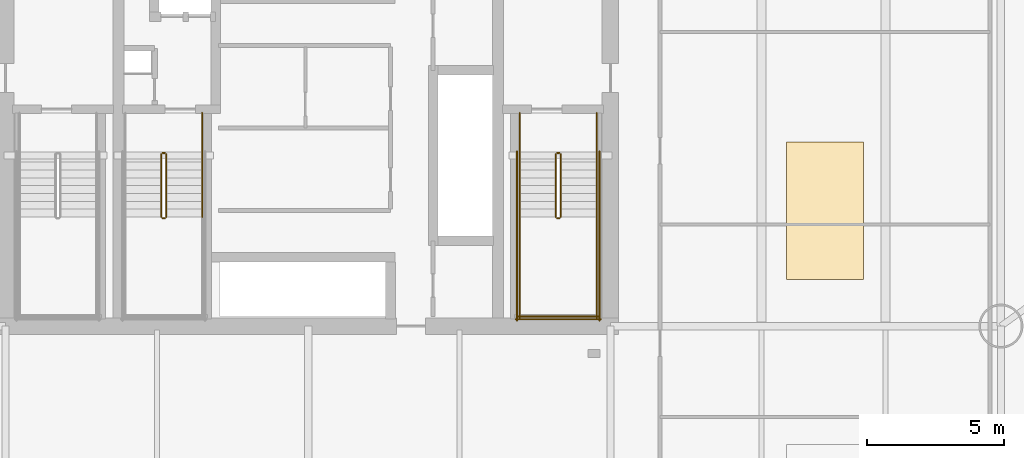
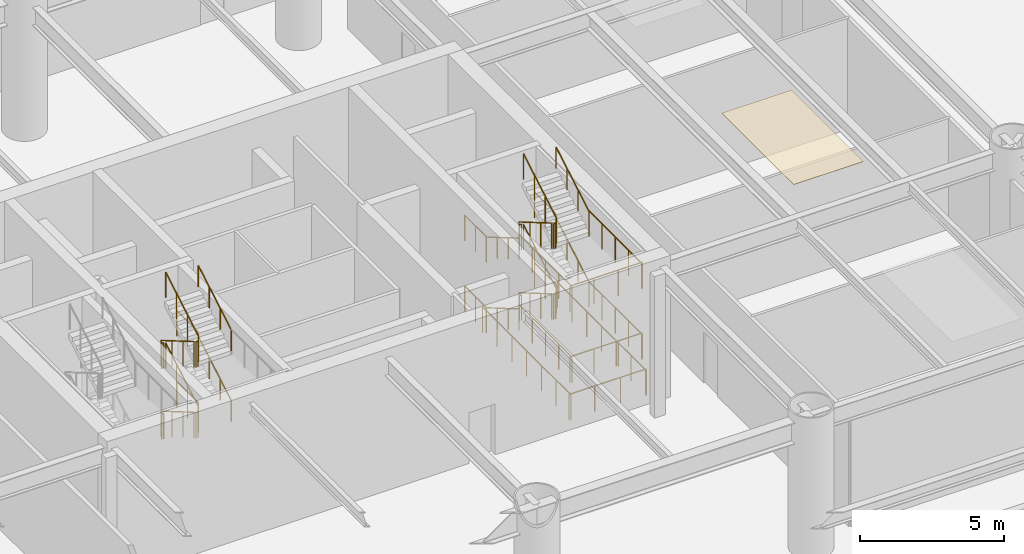
# One storey, part 14 of 17: 37 railings, 1 covering.
"""IFC4 building model written with IfcOpenShell, lengths in metres."""

from ifc_helpers import new_model, si_unit, direction, frame, origin, origin_2d, place, context, subcontext, project, spatial, polyline, circle, outline, extrude, material, layer, layer_set, type_object, element, save


model = new_model("IFC4")

# Units and contexts
model_context = context("Model", 3, precision=1e-05, world=origin(), true_north=direction((0.0, 1.0)))
body_context = subcontext(model_context, "Body", "Model", "MODEL_VIEW")
ifc_project = project(units=[si_unit("LENGTHUNIT", "METRE"), si_unit("AREAUNIT", "SQUARE_METRE"), si_unit("VOLUMEUNIT", "CUBIC_METRE"), si_unit("PLANEANGLEUNIT", "RADIAN"), si_unit("MASSUNIT", "GRAM", prefix="KILO")], contexts=[model_context])

# Site, building, storey
site_placement = place(None, origin())
site = spatial("IfcSite", under=ifc_project, at=site_placement, CompositionType="ELEMENT")
building_placement = place(site_placement, origin())
building = spatial("IfcBuilding", under=site, at=building_placement, Name="Bramvorn Convention Spire", CompositionType="ELEMENT")
storey_placement = place(building_placement, frame((0.0, 0.0, 24.0)))
storey = spatial("IfcBuildingStorey", under=building, at=storey_placement, Name="L04", CompositionType="ELEMENT", Elevation=24.0)

# Covering
ifc_material_1 = material(Name="Micro-Perforated Mineral-Fibre Acoustic Ceiling Tile", Category="gypsum")
ifc_layer = layer(ifc_material_1, 0.02001953125)
ifc_layer_set = layer_set([ifc_layer], Name="Micro-Perforated Mineral-Fibre Acoustic Ceiling Tile - CLG-ACOUSTIC-20")
covering_type = type_object("IfcCoveringType", Name="CLG-ACOUSTIC-20", PredefinedType="CEILING", material=ifc_layer_set)
covering_placement = place(storey_placement, frame((0.0, 0.0, 5.6298828125)))
element("IfcCovering", 1, at=covering_placement, inside=storey, type_object=covering_type, Name="L04 Seminar acoustic tile ceiling 2", PredefinedType="CEILING", context=body_context, shape_type="SweptSolid", body=[
    extrude(outline(polyline([(55.39990234375, 20.5), (58.199951171875, 20.5), (58.199951171875, 25.5), (55.39990234375, 25.5), (55.39990234375, 20.5)])), origin(), (0.0, 0.0, 1.0), 0.02001953125),
])

# Railings
ifc_material_2 = material(Name="Painted Steel Balustrade & Guardrail", Category="steel")
railing_type_1 = type_object("IfcRailingType", Name="RL-STAIR-GUARD-1100", PredefinedType="GUARDRAIL", material=ifc_material_2)
railing_1_placement = place(storey_placement, frame((47.010009765625, 25.050048828125, 0.166748046875)))
element("IfcRailing", 2, at=railing_1_placement, inside=storey, type_object=railing_type_1, Name="L04 ST2 stair guard 1", PredefinedType="GUARDRAIL", context=body_context, shape_type="SweptSolid", body=[
    extrude(circle(Radius=0.02392578125, at=origin_2d()), frame((0.0, 0.0, 1.076171875), z_axis=(0.0, -0.863245362884, 0.504784551527), x_axis=(1.0, 0.0, 0.0)), (0.0, 0.0, 1.0), 2.64111328125),
    extrude(circle(Radius=0.02099609375, at=origin_2d()), origin(), (0.0, 0.0, 1.0), 1.052001953125),
    extrude(circle(Radius=0.02099609375, at=origin_2d()), frame((0.0, -0.760009765625, 0.4443359375)), (0.0, 0.0, 1.0), 1.052001953125),
    extrude(circle(Radius=0.02099609375, at=origin_2d()), frame((0.0, -1.52001953125, 0.888916015625)), (0.0, 0.0, 1.0), 1.052001953125),
    extrude(circle(Radius=0.02099609375, at=origin_2d()), frame((0.0, -2.280029296875, 1.333251953125)), (0.0, 0.0, 1.0), 1.052001953125),
])
railing_2_placement = place(storey_placement, frame((47.06005859375, 22.719970703125, 1.5)))
element("IfcRailing", 3, at=railing_2_placement, inside=storey, type_object=railing_type_1, Name="L04 ST2 stair guard 2", PredefinedType="GUARDRAIL", context=body_context, shape_type="SweptSolid", body=[
    extrude(circle(Radius=0.02392578125, at=origin_2d()), frame((0.0, 0.0, 1.076171875), z_axis=(1.0, 0.0, 0.0), x_axis=(0.0, 1.0, 0.0)), (0.0, 0.0, 1.0), 0.079833984375),
    extrude(circle(Radius=0.02099609375, at=origin_2d()), origin(), (0.0, 0.0, 1.0), 1.052001953125),
    extrude(circle(Radius=0.02099609375, at=origin_2d()), frame((0.079833984375, 0.0, 0.0)), (0.0, 0.0, 1.0), 1.052001953125),
])
for number, where, name in (
    (4, (45.699951171875, 22.77001953125, 1.5), "L04 ST2 stair guard 3"),
    (5, (48.5, 22.77001953125, 1.5), "L04 ST2 stair guard 4"),
):
    element("IfcRailing", number, at=place(storey_placement, frame(where)), inside=storey, type_object=railing_type_1, Name=name, PredefinedType="GUARDRAIL", context=body_context, shape_type="SweptSolid", body=[
        extrude(circle(Radius=0.02392578125, at=origin_2d()), frame((0.0, 0.0, 1.076171875), z_axis=(0.0, -1.0, 0.0), x_axis=(1.0, 0.0, 0.0)), (0.0, 0.0, 1.0), 3.669921875),
        extrude(circle(Radius=0.02099609375, at=origin_2d()), origin(), (0.0, 0.0, 1.0), 1.052001953125),
        extrude(circle(Radius=0.02099609375, at=origin_2d()), frame((0.0, -0.91748046875, 0.0)), (0.0, 0.0, 1.0), 1.052001953125),
        extrude(circle(Radius=0.02099609375, at=origin_2d()), frame((0.0, -1.8349609375, 0.0)), (0.0, 0.0, 1.0), 1.052001953125),
        extrude(circle(Radius=0.02099609375, at=origin_2d()), frame((0.0, -2.75244140625, 0.0)), (0.0, 0.0, 1.0), 1.052001953125),
        extrude(circle(Radius=0.02099609375, at=origin_2d()), frame((0.0, -3.669921875, 0.0)), (0.0, 0.0, 1.0), 1.052001953125),
    ])
railing_3_placement = place(storey_placement, frame((45.64990234375, 19.14990234375, 1.5)))
element("IfcRailing", 6, at=railing_3_placement, inside=storey, type_object=railing_type_1, Name="L04 ST2 stair guard 5", PredefinedType="GUARDRAIL", context=body_context, shape_type="SweptSolid", body=[
    extrude(circle(Radius=0.02392578125, at=origin_2d()), frame((0.0, 0.0, 1.076171875), z_axis=(1.0, 0.0, 0.0), x_axis=(0.0, 1.0, 0.0)), (0.0, 0.0, 1.0), 2.900146484375),
    extrude(circle(Radius=0.02099609375, at=origin_2d()), origin(), (0.0, 0.0, 1.0), 1.052001953125),
    extrude(circle(Radius=0.02099609375, at=origin_2d()), frame((0.966796875, 0.0, 0.0)), (0.0, 0.0, 1.0), 1.052001953125),
    extrude(circle(Radius=0.02099609375, at=origin_2d()), frame((1.933349609375, 0.0, 0.0)), (0.0, 0.0, 1.0), 1.052001953125),
    extrude(circle(Radius=0.02099609375, at=origin_2d()), frame((2.900146484375, 0.0, 0.0)), (0.0, 0.0, 1.0), 1.052001953125),
])
railing_4_placement = place(storey_placement, frame((47.18994140625, 22.77001953125, 1.666748046875)))
element("IfcRailing", 7, at=railing_4_placement, inside=storey, type_object=railing_type_1, Name="L04 ST2 stair guard 6", PredefinedType="GUARDRAIL", context=body_context, shape_type="SweptSolid", body=[
    extrude(circle(Radius=0.02392578125, at=origin_2d()), frame((0.0, 0.0, 1.076171875), z_axis=(0.0, 0.863245362884, 0.504784551527), x_axis=(-1.0, 0.0, 0.0)), (0.0, 0.0, 1.0), 2.64111328125),
    extrude(circle(Radius=0.02099609375, at=origin_2d()), origin(), (0.0, 0.0, 1.0), 1.052001953125),
    extrude(circle(Radius=0.02099609375, at=origin_2d()), frame((0.0, 0.760009765625, 0.4443359375)), (0.0, 0.0, 1.0), 1.052001953125),
    extrude(circle(Radius=0.02099609375, at=origin_2d()), frame((0.0, 1.52001953125, 0.888916015625)), (0.0, 0.0, 1.0), 1.052001953125),
    extrude(circle(Radius=0.02099609375, at=origin_2d()), frame((0.0, 2.280029296875, 1.333251953125)), (0.0, 0.0, 1.0), 1.052001953125),
])
railing_5_placement = place(storey_placement, frame((47.06005859375, 25.10009765625, 3.0)))
element("IfcRailing", 8, at=railing_5_placement, inside=storey, type_object=railing_type_1, Name="L04 ST2 stair guard 7", PredefinedType="GUARDRAIL", context=body_context, shape_type="SweptSolid", body=[
    extrude(circle(Radius=0.02392578125, at=origin_2d()), frame((0.0, 0.0, 1.076171875), z_axis=(1.0, 0.0, 0.0), x_axis=(0.0, 1.0, 0.0)), (0.0, 0.0, 1.0), 0.079833984375),
    extrude(circle(Radius=0.02099609375, at=origin_2d()), origin(), (0.0, 0.0, 1.0), 1.052001953125),
    extrude(circle(Radius=0.02099609375, at=origin_2d()), frame((0.079833984375, 0.0, 0.0)), (0.0, 0.0, 1.0), 1.052001953125),
])
for number, where, name in (
    (9, (45.699951171875, 26.550048828125, 3.0), "L04 ST2 stair guard 8"),
    (10, (48.5, 26.550048828125, 3.0), "L04 ST2 stair guard 9"),
):
    element("IfcRailing", number, at=place(storey_placement, frame(where)), inside=storey, type_object=railing_type_1, Name=name, PredefinedType="GUARDRAIL", context=body_context, shape_type="SweptSolid", body=[
        extrude(circle(Radius=0.02392578125, at=origin_2d()), frame((0.0, 0.0, 1.076171875), z_axis=(0.0, -1.0, 0.0), x_axis=(1.0, 0.0, 0.0)), (0.0, 0.0, 1.0), 1.5),
        extrude(circle(Radius=0.02099609375, at=origin_2d()), origin(), (0.0, 0.0, 1.0), 1.052001953125),
        extrude(circle(Radius=0.02099609375, at=origin_2d()), frame((0.0, -0.75, 0.0)), (0.0, 0.0, 1.0), 1.052001953125),
        extrude(circle(Radius=0.02099609375, at=origin_2d()), frame((0.0, -1.5, 0.0)), (0.0, 0.0, 1.0), 1.052001953125),
    ])
railing_6_placement = place(storey_placement, frame((47.010009765625, 25.050048828125, 3.166748046875)))
element("IfcRailing", 11, at=railing_6_placement, inside=storey, type_object=railing_type_1, Name="L04 ST2 stair guard 10", PredefinedType="GUARDRAIL", context=body_context, shape_type="SweptSolid", body=[
    extrude(circle(Radius=0.02392578125, at=origin_2d()), frame((0.0, 0.0, 1.076171875), z_axis=(0.0, -0.863245362884, 0.504784551527), x_axis=(1.0, 0.0, 0.0)), (0.0, 0.0, 1.0), 2.64111328125),
    extrude(circle(Radius=0.02099609375, at=origin_2d()), origin(), (0.0, 0.0, 1.0), 1.052001953125),
    extrude(circle(Radius=0.02099609375, at=origin_2d()), frame((0.0, -0.760009765625, 0.4443359375)), (0.0, 0.0, 1.0), 1.052001953125),
    extrude(circle(Radius=0.02099609375, at=origin_2d()), frame((0.0, -1.52001953125, 0.888916015625)), (0.0, 0.0, 1.0), 1.052001953125),
    extrude(circle(Radius=0.02099609375, at=origin_2d()), frame((0.0, -2.280029296875, 1.333251953125)), (0.0, 0.0, 1.0), 1.052001953125),
])
railing_7_placement = place(storey_placement, frame((47.06005859375, 22.719970703125, 4.5)))
element("IfcRailing", 12, at=railing_7_placement, inside=storey, type_object=railing_type_1, Name="L04 ST2 stair guard 11", PredefinedType="GUARDRAIL", context=body_context, shape_type="SweptSolid", body=[
    extrude(circle(Radius=0.02392578125, at=origin_2d()), frame((0.0, 0.0, 1.076171875), z_axis=(1.0, 0.0, 0.0), x_axis=(0.0, 1.0, 0.0)), (0.0, 0.0, 1.0), 0.079833984375),
    extrude(circle(Radius=0.02099609375, at=origin_2d()), origin(), (0.0, 0.0, 1.0), 1.052001953125),
    extrude(circle(Radius=0.02099609375, at=origin_2d()), frame((0.079833984375, 0.0, 0.0)), (0.0, 0.0, 1.0), 1.052001953125),
])
for number, where, name in (
    (13, (45.699951171875, 22.77001953125, 4.5), "L04 ST2 stair guard 12"),
    (14, (48.5, 22.77001953125, 4.5), "L04 ST2 stair guard 13"),
):
    element("IfcRailing", number, at=place(storey_placement, frame(where)), inside=storey, type_object=railing_type_1, Name=name, PredefinedType="GUARDRAIL", context=body_context, shape_type="SweptSolid", body=[
        extrude(circle(Radius=0.02392578125, at=origin_2d()), frame((0.0, 0.0, 1.076171875), z_axis=(0.0, -1.0, 0.0), x_axis=(1.0, 0.0, 0.0)), (0.0, 0.0, 1.0), 3.669921875),
        extrude(circle(Radius=0.02099609375, at=origin_2d()), origin(), (0.0, 0.0, 1.0), 1.052001953125),
        extrude(circle(Radius=0.02099609375, at=origin_2d()), frame((0.0, -0.91748046875, 0.0)), (0.0, 0.0, 1.0), 1.052001953125),
        extrude(circle(Radius=0.02099609375, at=origin_2d()), frame((0.0, -1.8349609375, 0.0)), (0.0, 0.0, 1.0), 1.052001953125),
        extrude(circle(Radius=0.02099609375, at=origin_2d()), frame((0.0, -2.75244140625, 0.0)), (0.0, 0.0, 1.0), 1.052001953125),
        extrude(circle(Radius=0.02099609375, at=origin_2d()), frame((0.0, -3.669921875, 0.0)), (0.0, 0.0, 1.0), 1.052001953125),
    ])
railing_8_placement = place(storey_placement, frame((45.64990234375, 19.14990234375, 4.5)))
element("IfcRailing", 15, at=railing_8_placement, inside=storey, type_object=railing_type_1, Name="L04 ST2 stair guard 14", PredefinedType="GUARDRAIL", context=body_context, shape_type="SweptSolid", body=[
    extrude(circle(Radius=0.02392578125, at=origin_2d()), frame((0.0, 0.0, 1.076171875), z_axis=(1.0, 0.0, 0.0), x_axis=(0.0, 1.0, 0.0)), (0.0, 0.0, 1.0), 2.900146484375),
    extrude(circle(Radius=0.02099609375, at=origin_2d()), origin(), (0.0, 0.0, 1.0), 1.052001953125),
    extrude(circle(Radius=0.02099609375, at=origin_2d()), frame((0.966796875, 0.0, 0.0)), (0.0, 0.0, 1.0), 1.052001953125),
    extrude(circle(Radius=0.02099609375, at=origin_2d()), frame((1.933349609375, 0.0, 0.0)), (0.0, 0.0, 1.0), 1.052001953125),
    extrude(circle(Radius=0.02099609375, at=origin_2d()), frame((2.900146484375, 0.0, 0.0)), (0.0, 0.0, 1.0), 1.052001953125),
])
railing_9_placement = place(storey_placement, frame((47.18994140625, 22.77001953125, 4.666748046875)))
element("IfcRailing", 16, at=railing_9_placement, inside=storey, type_object=railing_type_1, Name="L04 ST2 stair guard 15", PredefinedType="GUARDRAIL", context=body_context, shape_type="SweptSolid", body=[
    extrude(circle(Radius=0.02392578125, at=origin_2d()), frame((0.0, 0.0, 1.076171875), z_axis=(0.0, 0.863245362884, 0.504784551527), x_axis=(-1.0, 0.0, 0.0)), (0.0, 0.0, 1.0), 2.64111328125),
    extrude(circle(Radius=0.02099609375, at=origin_2d()), origin(), (0.0, 0.0, 1.0), 1.052001953125),
    extrude(circle(Radius=0.02099609375, at=origin_2d()), frame((0.0, 0.760009765625, 0.4443359375)), (0.0, 0.0, 1.0), 1.052001953125),
    extrude(circle(Radius=0.02099609375, at=origin_2d()), frame((0.0, 1.52001953125, 0.888916015625)), (0.0, 0.0, 1.0), 1.052001953125),
    extrude(circle(Radius=0.02099609375, at=origin_2d()), frame((0.0, 2.280029296875, 1.333251953125)), (0.0, 0.0, 1.0), 1.052001953125),
])
railing_10_placement = place(storey_placement, frame((47.06005859375, 25.10009765625, 0.0)))
element("IfcRailing", 17, at=railing_10_placement, inside=storey, type_object=railing_type_1, Name="L04 ST2 stair guard 16", PredefinedType="GUARDRAIL", context=body_context, shape_type="SweptSolid", body=[
    extrude(circle(Radius=0.02392578125, at=origin_2d()), frame((0.0, 0.0, 1.076171875), z_axis=(1.0, 0.0, 0.0), x_axis=(0.0, 1.0, 0.0)), (0.0, 0.0, 1.0), 0.079833984375),
    extrude(circle(Radius=0.02099609375, at=origin_2d()), origin(), (0.0, 0.0, 1.0), 1.052001953125),
    extrude(circle(Radius=0.02099609375, at=origin_2d()), frame((0.079833984375, 0.0, 0.0)), (0.0, 0.0, 1.0), 1.052001953125),
])
for number, where, name in (
    (18, (45.699951171875, 26.550048828125, 0.0), "L04 ST2 stair guard 17"),
    (19, (48.5, 26.550048828125, 0.0), "L04 ST2 stair guard 18"),
):
    element("IfcRailing", number, at=place(storey_placement, frame(where)), inside=storey, type_object=railing_type_1, Name=name, PredefinedType="GUARDRAIL", context=body_context, shape_type="SweptSolid", body=[
        extrude(circle(Radius=0.02392578125, at=origin_2d()), frame((0.0, 0.0, 1.076171875), z_axis=(0.0, -1.0, 0.0), x_axis=(1.0, 0.0, 0.0)), (0.0, 0.0, 1.0), 1.5),
        extrude(circle(Radius=0.02099609375, at=origin_2d()), origin(), (0.0, 0.0, 1.0), 1.052001953125),
        extrude(circle(Radius=0.02099609375, at=origin_2d()), frame((0.0, -0.75, 0.0)), (0.0, 0.0, 1.0), 1.052001953125),
        extrude(circle(Radius=0.02099609375, at=origin_2d()), frame((0.0, -1.5, 0.0)), (0.0, 0.0, 1.0), 1.052001953125),
    ])
for number, where, name in (
    (20, (45.60009765625, 25.14990234375, 0.0), "L04 ST2 stair guard 19"),
    (21, (48.60009765625, 25.14990234375, 0.0), "L04 ST2 stair guard 20"),
):
    element("IfcRailing", number, at=place(storey_placement, frame(where)), inside=storey, type_object=railing_type_1, Name=name, PredefinedType="GUARDRAIL", context=body_context, shape_type="SweptSolid", body=[
        extrude(circle(Radius=0.02392578125, at=origin_2d()), frame((0.0, 0.0, 1.076171875), z_axis=(0.0, -1.0, 0.0), x_axis=(1.0, 0.0, 0.0)), (0.0, 0.0, 1.0), 6.14990234375),
        extrude(circle(Radius=0.02099609375, at=origin_2d()), origin(), (0.0, 0.0, 1.0), 1.052001953125),
        extrude(circle(Radius=0.02099609375, at=origin_2d()), frame((0.0, -1.02490234375, 0.0)), (0.0, 0.0, 1.0), 1.052001953125),
        extrude(circle(Radius=0.02099609375, at=origin_2d()), frame((0.0, -2.050048828125, 0.0)), (0.0, 0.0, 1.0), 1.052001953125),
        extrude(circle(Radius=0.02099609375, at=origin_2d()), frame((0.0, -3.074951171875, 0.0)), (0.0, 0.0, 1.0), 1.052001953125),
        extrude(circle(Radius=0.02099609375, at=origin_2d()), frame((0.0, -4.099853515625, 0.0)), (0.0, 0.0, 1.0), 1.052001953125),
        extrude(circle(Radius=0.02099609375, at=origin_2d()), frame((0.0, -5.125, 0.0)), (0.0, 0.0, 1.0), 1.052001953125),
        extrude(circle(Radius=0.02099609375, at=origin_2d()), frame((0.0, -6.14990234375, 0.0)), (0.0, 0.0, 1.0), 1.052001953125),
    ])
railing_11_placement = place(storey_placement, frame((45.550048828125, 19.050048828125, 0.0)))
element("IfcRailing", 22, at=railing_11_placement, inside=storey, type_object=railing_type_1, Name="L04 ST2 stair guard 21", PredefinedType="GUARDRAIL", context=body_context, shape_type="SweptSolid", body=[
    extrude(circle(Radius=0.02392578125, at=origin_2d()), frame((0.0, 0.0, 1.076171875), z_axis=(1.0, 0.0, 0.0), x_axis=(0.0, 1.0, 0.0)), (0.0, 0.0, 1.0), 3.099853515625),
    extrude(circle(Radius=0.02099609375, at=origin_2d()), origin(), (0.0, 0.0, 1.0), 1.052001953125),
    extrude(circle(Radius=0.02099609375, at=origin_2d()), frame((1.033203125, 0.0, 0.0)), (0.0, 0.0, 1.0), 1.052001953125),
    extrude(circle(Radius=0.02099609375, at=origin_2d()), frame((2.066650390625, 0.0, 0.0)), (0.0, 0.0, 1.0), 1.052001953125),
    extrude(circle(Radius=0.02099609375, at=origin_2d()), frame((3.099853515625, 0.0, 0.0)), (0.0, 0.0, 1.0), 1.052001953125),
])
railing_12_placement = place(storey_placement, frame((32.659912109375, 25.050048828125, 0.166748046875)))
element("IfcRailing", 23, at=railing_12_placement, inside=storey, type_object=railing_type_1, Name="L04 ST3 stair guard 1", PredefinedType="GUARDRAIL", context=body_context, shape_type="SweptSolid", body=[
    extrude(circle(Radius=0.02392578125, at=origin_2d()), frame((0.0, 0.0, 1.076171875), z_axis=(0.0, -0.863245362884, 0.504784551527), x_axis=(1.0, 0.0, 0.0)), (0.0, 0.0, 1.0), 2.64111328125),
    extrude(circle(Radius=0.02099609375, at=origin_2d()), origin(), (0.0, 0.0, 1.0), 1.052001953125),
    extrude(circle(Radius=0.02099609375, at=origin_2d()), frame((0.0, -0.760009765625, 0.4443359375)), (0.0, 0.0, 1.0), 1.052001953125),
    extrude(circle(Radius=0.02099609375, at=origin_2d()), frame((0.0, -1.52001953125, 0.888916015625)), (0.0, 0.0, 1.0), 1.052001953125),
    extrude(circle(Radius=0.02099609375, at=origin_2d()), frame((0.0, -2.280029296875, 1.333251953125)), (0.0, 0.0, 1.0), 1.052001953125),
])
railing_13_placement = place(storey_placement, frame((32.7099609375, 22.719970703125, 1.5)))
element("IfcRailing", 24, at=railing_13_placement, inside=storey, type_object=railing_type_1, Name="L04 ST3 stair guard 2", PredefinedType="GUARDRAIL", context=body_context, shape_type="SweptSolid", body=[
    extrude(circle(Radius=0.02392578125, at=origin_2d()), frame((0.0, 0.0, 1.076171875), z_axis=(1.0, 0.0, 0.0), x_axis=(0.0, 1.0, 0.0)), (0.0, 0.0, 1.0), 0.080078125),
    extrude(circle(Radius=0.02099609375, at=origin_2d()), origin(), (0.0, 0.0, 1.0), 1.052001953125),
    extrude(circle(Radius=0.02099609375, at=origin_2d()), frame((0.080078125, 0.0, 0.0)), (0.0, 0.0, 1.0), 1.052001953125),
])
railing_14_placement = place(storey_placement, frame((32.840087890625, 22.77001953125, 1.666748046875)))
element("IfcRailing", 25, at=railing_14_placement, inside=storey, type_object=railing_type_1, Name="L04 ST3 stair guard 6", PredefinedType="GUARDRAIL", context=body_context, shape_type="SweptSolid", body=[
    extrude(circle(Radius=0.02392578125, at=origin_2d()), frame((0.0, 0.0, 1.076171875), z_axis=(0.0, 0.863245362884, 0.504784551527), x_axis=(-1.0, 0.0, 0.0)), (0.0, 0.0, 1.0), 2.64111328125),
    extrude(circle(Radius=0.02099609375, at=origin_2d()), origin(), (0.0, 0.0, 1.0), 1.052001953125),
    extrude(circle(Radius=0.02099609375, at=origin_2d()), frame((0.0, 0.760009765625, 0.4443359375)), (0.0, 0.0, 1.0), 1.052001953125),
    extrude(circle(Radius=0.02099609375, at=origin_2d()), frame((0.0, 1.52001953125, 0.888916015625)), (0.0, 0.0, 1.0), 1.052001953125),
    extrude(circle(Radius=0.02099609375, at=origin_2d()), frame((0.0, 2.280029296875, 1.333251953125)), (0.0, 0.0, 1.0), 1.052001953125),
])
railing_15_placement = place(storey_placement, frame((32.7099609375, 25.10009765625, 3.0)))
element("IfcRailing", 26, at=railing_15_placement, inside=storey, type_object=railing_type_1, Name="L04 ST3 stair guard 7", PredefinedType="GUARDRAIL", context=body_context, shape_type="SweptSolid", body=[
    extrude(circle(Radius=0.02392578125, at=origin_2d()), frame((0.0, 0.0, 1.076171875), z_axis=(1.0, 0.0, 0.0), x_axis=(0.0, 1.0, 0.0)), (0.0, 0.0, 1.0), 0.080078125),
    extrude(circle(Radius=0.02099609375, at=origin_2d()), origin(), (0.0, 0.0, 1.0), 1.052001953125),
    extrude(circle(Radius=0.02099609375, at=origin_2d()), frame((0.080078125, 0.0, 0.0)), (0.0, 0.0, 1.0), 1.052001953125),
])
railing_16_placement = place(storey_placement, frame((34.14990234375, 26.550048828125, 3.0)))
element("IfcRailing", 27, at=railing_16_placement, inside=storey, type_object=railing_type_1, Name="L04 ST3 stair guard 9", PredefinedType="GUARDRAIL", context=body_context, shape_type="SweptSolid", body=[
    extrude(circle(Radius=0.02392578125, at=origin_2d()), frame((0.0, 0.0, 1.076171875), z_axis=(0.0, -1.0, 0.0), x_axis=(1.0, 0.0, 0.0)), (0.0, 0.0, 1.0), 1.5),
    extrude(circle(Radius=0.02099609375, at=origin_2d()), origin(), (0.0, 0.0, 1.0), 1.052001953125),
    extrude(circle(Radius=0.02099609375, at=origin_2d()), frame((0.0, -0.75, 0.0)), (0.0, 0.0, 1.0), 1.052001953125),
    extrude(circle(Radius=0.02099609375, at=origin_2d()), frame((0.0, -1.5, 0.0)), (0.0, 0.0, 1.0), 1.052001953125),
])
railing_17_placement = place(storey_placement, frame((32.659912109375, 25.050048828125, 3.166748046875)))
element("IfcRailing", 28, at=railing_17_placement, inside=storey, type_object=railing_type_1, Name="L04 ST3 stair guard 10", PredefinedType="GUARDRAIL", context=body_context, shape_type="SweptSolid", body=[
    extrude(circle(Radius=0.02392578125, at=origin_2d()), frame((0.0, 0.0, 1.076171875), z_axis=(0.0, -0.863245362884, 0.504784551527), x_axis=(1.0, 0.0, 0.0)), (0.0, 0.0, 1.0), 2.64111328125),
    extrude(circle(Radius=0.02099609375, at=origin_2d()), origin(), (0.0, 0.0, 1.0), 1.052001953125),
    extrude(circle(Radius=0.02099609375, at=origin_2d()), frame((0.0, -0.760009765625, 0.4443359375)), (0.0, 0.0, 1.0), 1.052001953125),
    extrude(circle(Radius=0.02099609375, at=origin_2d()), frame((0.0, -1.52001953125, 0.888916015625)), (0.0, 0.0, 1.0), 1.052001953125),
    extrude(circle(Radius=0.02099609375, at=origin_2d()), frame((0.0, -2.280029296875, 1.333251953125)), (0.0, 0.0, 1.0), 1.052001953125),
])
railing_18_placement = place(storey_placement, frame((32.7099609375, 22.719970703125, 4.5)))
element("IfcRailing", 29, at=railing_18_placement, inside=storey, type_object=railing_type_1, Name="L04 ST3 stair guard 11", PredefinedType="GUARDRAIL", context=body_context, shape_type="SweptSolid", body=[
    extrude(circle(Radius=0.02392578125, at=origin_2d()), frame((0.0, 0.0, 1.076171875), z_axis=(1.0, 0.0, 0.0), x_axis=(0.0, 1.0, 0.0)), (0.0, 0.0, 1.0), 0.080078125),
    extrude(circle(Radius=0.02099609375, at=origin_2d()), origin(), (0.0, 0.0, 1.0), 1.052001953125),
    extrude(circle(Radius=0.02099609375, at=origin_2d()), frame((0.080078125, 0.0, 0.0)), (0.0, 0.0, 1.0), 1.052001953125),
])
railing_19_placement = place(storey_placement, frame((32.840087890625, 22.77001953125, 4.666748046875)))
element("IfcRailing", 30, at=railing_19_placement, inside=storey, type_object=railing_type_1, Name="L04 ST3 stair guard 15", PredefinedType="GUARDRAIL", context=body_context, shape_type="SweptSolid", body=[
    extrude(circle(Radius=0.02392578125, at=origin_2d()), frame((0.0, 0.0, 1.076171875), z_axis=(0.0, 0.863245362884, 0.504784551527), x_axis=(-1.0, 0.0, 0.0)), (0.0, 0.0, 1.0), 2.64111328125),
    extrude(circle(Radius=0.02099609375, at=origin_2d()), origin(), (0.0, 0.0, 1.0), 1.052001953125),
    extrude(circle(Radius=0.02099609375, at=origin_2d()), frame((0.0, 0.760009765625, 0.4443359375)), (0.0, 0.0, 1.0), 1.052001953125),
    extrude(circle(Radius=0.02099609375, at=origin_2d()), frame((0.0, 1.52001953125, 0.888916015625)), (0.0, 0.0, 1.0), 1.052001953125),
    extrude(circle(Radius=0.02099609375, at=origin_2d()), frame((0.0, 2.280029296875, 1.333251953125)), (0.0, 0.0, 1.0), 1.052001953125),
])
railing_20_placement = place(storey_placement, frame((32.7099609375, 25.10009765625, 0.0)))
element("IfcRailing", 31, at=railing_20_placement, inside=storey, type_object=railing_type_1, Name="L04 ST3 stair guard 16", PredefinedType="GUARDRAIL", context=body_context, shape_type="SweptSolid", body=[
    extrude(circle(Radius=0.02392578125, at=origin_2d()), frame((0.0, 0.0, 1.076171875), z_axis=(1.0, 0.0, 0.0), x_axis=(0.0, 1.0, 0.0)), (0.0, 0.0, 1.0), 0.080078125),
    extrude(circle(Radius=0.02099609375, at=origin_2d()), origin(), (0.0, 0.0, 1.0), 1.052001953125),
    extrude(circle(Radius=0.02099609375, at=origin_2d()), frame((0.080078125, 0.0, 0.0)), (0.0, 0.0, 1.0), 1.052001953125),
])
railing_21_placement = place(storey_placement, frame((34.14990234375, 26.550048828125, 0.0)))
element("IfcRailing", 32, at=railing_21_placement, inside=storey, type_object=railing_type_1, Name="L04 ST3 stair guard 18", PredefinedType="GUARDRAIL", context=body_context, shape_type="SweptSolid", body=[
    extrude(circle(Radius=0.02392578125, at=origin_2d()), frame((0.0, 0.0, 1.076171875), z_axis=(0.0, -1.0, 0.0), x_axis=(1.0, 0.0, 0.0)), (0.0, 0.0, 1.0), 1.5),
    extrude(circle(Radius=0.02099609375, at=origin_2d()), origin(), (0.0, 0.0, 1.0), 1.052001953125),
    extrude(circle(Radius=0.02099609375, at=origin_2d()), frame((0.0, -0.75, 0.0)), (0.0, 0.0, 1.0), 1.052001953125),
    extrude(circle(Radius=0.02099609375, at=origin_2d()), frame((0.0, -1.5, 0.0)), (0.0, 0.0, 1.0), 1.052001953125),
])
ifc_material_3 = material(Name="Brushed Bronze Tubular Handrail", Category="aluminium")
railing_type_2 = type_object("IfcRailingType", Name="RL-STAIR-HR-920", PredefinedType="HANDRAIL", material=ifc_material_3)
railing_22_placement = place(storey_placement, frame((45.699951171875, 25.050048828125, 0.166748046875)))
element("IfcRailing", 33, at=railing_22_placement, inside=storey, type_object=railing_type_2, Name="L04 ST2 stair handrail 1", PredefinedType="HANDRAIL", context=body_context, shape_type="SweptSolid", body=[
    extrude(circle(Radius=0.02392578125, at=origin_2d()), frame((0.0, 0.0, 0.89599609375), z_axis=(0.0, -0.863245362884, 0.504784551527), x_axis=(1.0, 0.0, 0.0)), (0.0, 0.0, 1.0), 2.64111328125),
    extrude(circle(Radius=0.02099609375, at=origin_2d()), origin(), (0.0, 0.0, 1.0), 0.871826171875),
    extrude(circle(Radius=0.02099609375, at=origin_2d()), frame((0.0, -0.760009765625, 0.4443359375)), (0.0, 0.0, 1.0), 0.871826171875),
    extrude(circle(Radius=0.02099609375, at=origin_2d()), frame((0.0, -1.52001953125, 0.888916015625)), (0.0, 0.0, 1.0), 0.871826171875),
    extrude(circle(Radius=0.02099609375, at=origin_2d()), frame((0.0, -2.280029296875, 1.333251953125)), (0.0, 0.0, 1.0), 0.871826171875),
])
railing_23_placement = place(storey_placement, frame((48.5, 22.77001953125, 1.666748046875)))
element("IfcRailing", 34, at=railing_23_placement, inside=storey, type_object=railing_type_2, Name="L04 ST2 stair handrail 2", PredefinedType="HANDRAIL", context=body_context, shape_type="SweptSolid", body=[
    extrude(circle(Radius=0.02392578125, at=origin_2d()), frame((0.0, 0.0, 0.89599609375), z_axis=(0.0, 0.863245362884, 0.504784551527), x_axis=(-1.0, 0.0, 0.0)), (0.0, 0.0, 1.0), 2.64111328125),
    extrude(circle(Radius=0.02099609375, at=origin_2d()), origin(), (0.0, 0.0, 1.0), 0.871826171875),
    extrude(circle(Radius=0.02099609375, at=origin_2d()), frame((0.0, 0.760009765625, 0.4443359375)), (0.0, 0.0, 1.0), 0.871826171875),
    extrude(circle(Radius=0.02099609375, at=origin_2d()), frame((0.0, 1.52001953125, 0.888916015625)), (0.0, 0.0, 1.0), 0.871826171875),
    extrude(circle(Radius=0.02099609375, at=origin_2d()), frame((0.0, 2.280029296875, 1.333251953125)), (0.0, 0.0, 1.0), 0.871826171875),
])
railing_24_placement = place(storey_placement, frame((45.699951171875, 25.050048828125, 3.166748046875)))
element("IfcRailing", 35, at=railing_24_placement, inside=storey, type_object=railing_type_2, Name="L04 ST2 stair handrail 3", PredefinedType="HANDRAIL", context=body_context, shape_type="SweptSolid", body=[
    extrude(circle(Radius=0.02392578125, at=origin_2d()), frame((0.0, 0.0, 0.89599609375), z_axis=(0.0, -0.863245362884, 0.504784551527), x_axis=(1.0, 0.0, 0.0)), (0.0, 0.0, 1.0), 2.64111328125),
    extrude(circle(Radius=0.02099609375, at=origin_2d()), origin(), (0.0, 0.0, 1.0), 0.871826171875),
    extrude(circle(Radius=0.02099609375, at=origin_2d()), frame((0.0, -0.760009765625, 0.4443359375)), (0.0, 0.0, 1.0), 0.871826171875),
    extrude(circle(Radius=0.02099609375, at=origin_2d()), frame((0.0, -1.52001953125, 0.888916015625)), (0.0, 0.0, 1.0), 0.871826171875),
    extrude(circle(Radius=0.02099609375, at=origin_2d()), frame((0.0, -2.280029296875, 1.333251953125)), (0.0, 0.0, 1.0), 0.871826171875),
])
for number, where, name in (
    (36, (48.5, 22.77001953125, 4.666748046875), "L04 ST2 stair handrail 4"),
    (37, (34.14990234375, 22.77001953125, 1.666748046875), "L04 ST3 stair handrail 2"),
    (38, (34.14990234375, 22.77001953125, 4.666748046875), "L04 ST3 stair handrail 4"),
):
    element("IfcRailing", number, at=place(storey_placement, frame(where)), inside=storey, type_object=railing_type_2, Name=name, PredefinedType="HANDRAIL", context=body_context, shape_type="SweptSolid", body=[
        extrude(circle(Radius=0.02392578125, at=origin_2d()), frame((0.0, 0.0, 0.89599609375), z_axis=(0.0, 0.863245362884, 0.504784551527), x_axis=(-1.0, 0.0, 0.0)), (0.0, 0.0, 1.0), 2.64111328125),
        extrude(circle(Radius=0.02099609375, at=origin_2d()), origin(), (0.0, 0.0, 1.0), 0.871826171875),
        extrude(circle(Radius=0.02099609375, at=origin_2d()), frame((0.0, 0.760009765625, 0.4443359375)), (0.0, 0.0, 1.0), 0.871826171875),
        extrude(circle(Radius=0.02099609375, at=origin_2d()), frame((0.0, 1.52001953125, 0.888916015625)), (0.0, 0.0, 1.0), 0.871826171875),
        extrude(circle(Radius=0.02099609375, at=origin_2d()), frame((0.0, 2.280029296875, 1.333251953125)), (0.0, 0.0, 1.0), 0.871826171875),
    ])

save(model, "model.ifc")
